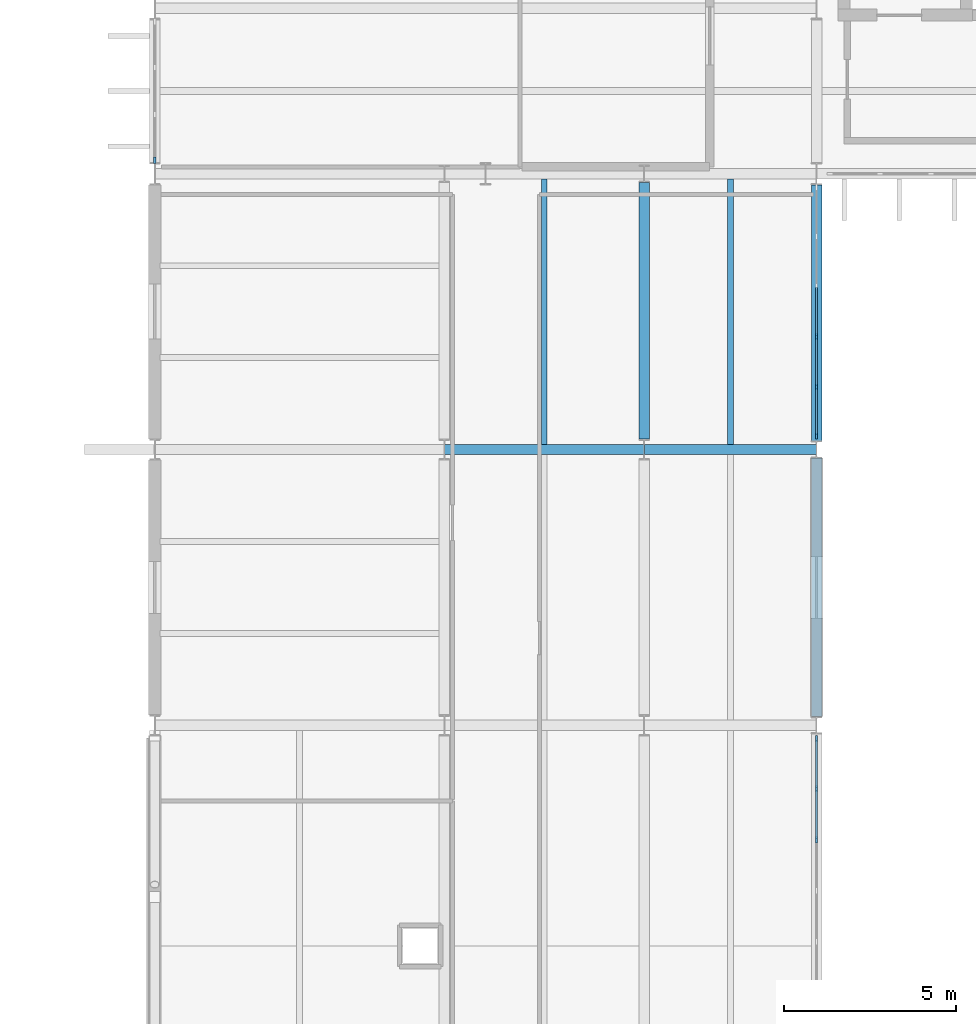
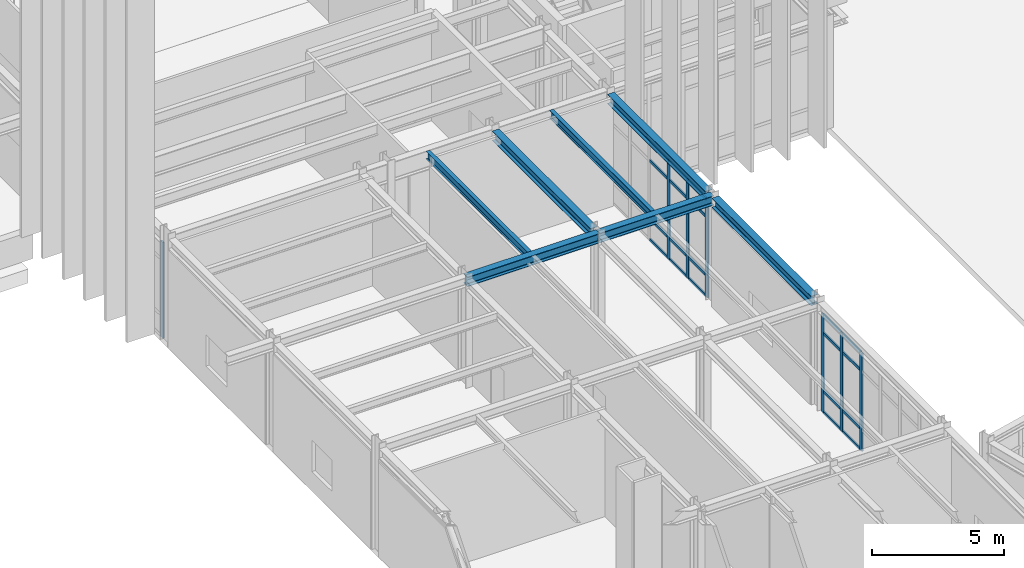
# One storey, part 34 of 109: 27 members, 7 beams, 3 elements without a shape of their own.
"""IFC4 building model written with IfcOpenShell, lengths in metres."""

import ifcopenshell
import ifcopenshell.guid

model = None  # the IFC model being written
_history = None  # IfcOwnerHistory: only IFC2X3 demands one
_inside = {}  # id of a spatial element -> (the spatial element, [elements in it])
_under = {}  # id of a project, library or spatial element -> (it, [spatial elements below it])
_declared = {}  # id of a project -> (the project, [libraries it declares])
_typed = {}  # id of a type object -> (the type object, [elements of that type])
_made_of = {}  # id of a material, layer set ... -> (it, [elements and type objects made of it])


def new_model(schema):
    """Start an empty IFC model of exactly this schema.

    Asked for "IFC4X3", IfcOpenShell would pick the latest addendum, in which some entities
    have other attributes; the version numbers below select the first issue.
    IFC2X3 requires an IfcOwnerHistory on every rooted entity: one is made here for all.
    """
    global model, _history
    if schema == "IFC4X3":
        model = ifcopenshell.file(schema_version=(4, 3, 0, 0))
    else:
        model = ifcopenshell.file(schema=schema)
    _inside.clear()
    _under.clear()
    _declared.clear()
    _typed.clear()
    _made_of.clear()
    _history = None
    if model.schema == "IFC2X3":
        org = make("IfcOrganization", Name="unknown")
        user = make(
            "IfcPersonAndOrganization",
            ThePerson=make("IfcPerson", FamilyName="unknown"),
            TheOrganization=org,
        )
        app = make(
            "IfcApplication",
            ApplicationDeveloper=org,
            Version="unknown",
            ApplicationFullName="unknown",
            ApplicationIdentifier="unknown",
        )
        _history = make(
            "IfcOwnerHistory",
            OwningUser=user,
            OwningApplication=app,
            ChangeAction="ADDED",
            CreationDate=0,
        )
    return model


def make(cls, **values):
    """One entity of the class cls with the attributes given. An attribute that is None is left unset."""
    return model.create_entity(
        cls, **{name: value for name, value in values.items() if value is not None}
    )


def rooted(cls, **values):
    """An entity with a GlobalId (a new one), such as an element, a storey or a relation."""
    return make(cls, GlobalId=ifcopenshell.guid.new(), OwnerHistory=_history, **values)


def si_unit(unit_type, name, prefix=None):
    """IfcSIUnit, for example si_unit("LENGTHUNIT", "METRE", prefix="MILLI")."""
    return make("IfcSIUnit", UnitType=unit_type, Prefix=prefix, Name=name)


def assignment(units):
    """IfcUnitAssignment: the units of a project."""
    return None if units is None else make("IfcUnitAssignment", Units=units)


def point(xyz):
    """IfcCartesianPoint."""
    return None if xyz is None else make("IfcCartesianPoint", Coordinates=xyz)


def direction(xyz):
    """IfcDirection."""
    return None if xyz is None else make("IfcDirection", DirectionRatios=xyz)


def frame(location, z_axis=None, x_axis=None):
    """IfcAxis2Placement3D, a coordinate frame: its origin and axes. An axis left out is left unset."""
    return make(
        "IfcAxis2Placement3D",
        Location=point(location),
        Axis=direction(z_axis),
        RefDirection=direction(x_axis),
    )


def frame_2d(location, x_axis=None):
    """IfcAxis2Placement2D, a coordinate frame in the plane: its origin and x axis."""
    return make(
        "IfcAxis2Placement2D", Location=point(location), RefDirection=direction(x_axis)
    )


def origin():
    """The frame at (0, 0, 0) with its axes left unset."""
    return frame((0.0, 0.0, 0.0))


def origin_2d():
    """The frame at (0, 0) in the plane with its x axis left unset."""
    return frame_2d((0.0, 0.0))


def place(relative_to, where):
    """IfcLocalPlacement: puts the frame where relative to a parent placement (None: the world)."""
    return make(
        "IfcLocalPlacement", PlacementRelTo=relative_to, RelativePlacement=where
    )


def context(
    kind, dimensions, precision=None, world=None, true_north=None, identifier=None
):
    """IfcGeometricRepresentationContext, for example the 3D "Model" context."""
    return make(
        "IfcGeometricRepresentationContext",
        ContextIdentifier=identifier,
        ContextType=kind,
        CoordinateSpaceDimension=dimensions,
        Precision=precision,
        WorldCoordinateSystem=world,
        TrueNorth=true_north,
    )


def subcontext(parent, identifier, kind, view, scale=None):
    """IfcGeometricRepresentationSubContext, for example "Body" below "Model"."""
    return make(
        "IfcGeometricRepresentationSubContext",
        ContextIdentifier=identifier,
        ContextType=kind,
        ParentContext=parent,
        TargetScale=scale,
        TargetView=view,
    )


def project(units=None, contexts=None):
    """IfcProject with its units and contexts."""
    return rooted(
        "IfcProject",
        Name="project",
        RepresentationContexts=contexts,
        UnitsInContext=assignment(units),
    )


def spatial(cls, under=None, at=None, **own):
    """A site, building, storey or space (cls), placed at a placement, below another one or the project."""
    s = rooted(cls, ObjectPlacement=at, **own)
    if under is not None:
        _under.setdefault(under.id(), (under, []))[1].append(s)
    return s


def profile(cls, at=None, kind="AREA", **sizes):
    """A parametric profile (cls). Its sizes go by their IFC names, for example OverallWidth=200.0."""
    return make(cls, ProfileType=kind, Position=at, **sizes)


def rectangle(**sizes):
    """IfcRectangleProfileDef."""
    return profile("IfcRectangleProfileDef", **sizes)


def i_section(**sizes):
    """IfcIShapeProfileDef."""
    return profile("IfcIShapeProfileDef", **sizes)


def extrude(swept, where, along, depth):
    """IfcExtrudedAreaSolid: the profile swept, set in the frame where, extruded along a direction by depth."""
    return make(
        "IfcExtrudedAreaSolid",
        SweptArea=swept,
        Position=where,
        ExtrudedDirection=direction(along),
        Depth=depth,
    )


def shape(context_of_items, identifier, shape_type, items):
    """IfcShapeRepresentation: the items that make up one representation, for example the "Body"."""
    return make(
        "IfcShapeRepresentation",
        ContextOfItems=context_of_items,
        RepresentationIdentifier=identifier,
        RepresentationType=shape_type,
        Items=items,
    )


def material(Name=None, Category=None):
    """IfcMaterial."""
    return make("IfcMaterial", Name=Name, Category=Category)


def layer(
    of_material, thickness, ventilated=None, Name=None, Category=None, Priority=None
):
    """IfcMaterialLayer: one layer of a wall or slab, of a material (None: an air gap)."""
    return make(
        "IfcMaterialLayer",
        Material=of_material,
        LayerThickness=thickness,
        IsVentilated=ventilated,
        Name=Name,
        Category=Category,
        Priority=Priority,
    )


def layer_set(layers, Name=None):
    """IfcMaterialLayerSet."""
    return make("IfcMaterialLayerSet", MaterialLayers=layers, LayerSetName=Name)


def material_profile(
    of_material, cross_section, Name=None, Category=None, Priority=None
):
    """IfcMaterialProfile: a cross section and its material."""
    return make(
        "IfcMaterialProfile",
        Name=Name,
        Material=of_material,
        Profile=cross_section,
        Priority=Priority,
        Category=Category,
    )


def profile_set(profiles, Name=None, composite=None):
    """IfcMaterialProfileSet."""
    return make(
        "IfcMaterialProfileSet",
        Name=Name,
        MaterialProfiles=profiles,
        CompositeProfile=composite,
    )


def made_of(thing, what):
    """Note that an element or type object is made of a material, layer set ...; save() writes the relation."""
    if what is not None:
        _made_of.setdefault(what.id(), (what, []))[1].append(thing)
    return thing


def type_object(cls, material=None, **own):
    """A type object (cls), such as IfcWallType, which elements share."""
    return made_of(rooted(cls, **own), material)


def element(
    cls,
    number,
    at=None,
    inside=None,
    cuts=None,
    type_object=None,
    material=None,
    context=None,
    identifier="Body",
    shape_type=None,
    held_by="IfcProductDefinitionShape",
    body=None,
    shapes=None,
    **own,
):
    """One element of the class cls, such as IfcWall. Its Tag is "e" and its number.

    at: its placement. inside: the storey or other place that contains it. cuts: it is an
    opening in that element (IfcRelVoidsElement). A single representation is given by context,
    identifier, shape_type and body (its items); several are given by shapes. held_by: the class
    of the entity that holds the representations. save() writes the other relations.
    """
    e = rooted(cls, Tag="e%d" % number, ObjectPlacement=at, **own)
    if body is not None:
        shapes = [shape(context, identifier, shape_type, body)]
    if shapes is not None:
        e.Representation = make(held_by, Representations=shapes)
    if inside is not None:
        _inside.setdefault(inside.id(), (inside, []))[1].append(e)
    if cuts is not None:
        rooted(
            "IfcRelVoidsElement", RelatingBuildingElement=cuts, RelatedOpeningElement=e
        )
    if type_object is not None:
        _typed.setdefault(type_object.id(), (type_object, []))[1].append(e)
    return made_of(e, material)


def aggregate(whole, parts):
    """IfcRelAggregates: a whole, such as a stair, and the parts it consists of."""
    return rooted("IfcRelAggregates", RelatingObject=whole, RelatedObjects=parts)


def save(model, path):
    """Write the relations noted so far, then the file.

    IfcRelAggregates (storeys below a building ...), IfcRelContainedInSpatialStructure (elements
    in a storey), IfcRelDefinesByType, IfcRelAssociatesMaterial and IfcRelDeclares: one each for
    every whole, place, type object, material and project.
    """
    for whole, parts in _under.values():
        aggregate(whole, parts)
    for where, things in _inside.values():
        rooted(
            "IfcRelContainedInSpatialStructure",
            RelatedElements=things,
            RelatingStructure=where,
        )
    for kind, things in _typed.values():
        rooted("IfcRelDefinesByType", RelatedObjects=things, RelatingType=kind)
    for what, things in _made_of.values():
        rooted("IfcRelAssociatesMaterial", RelatedObjects=things, RelatingMaterial=what)
    for by, libraries in _declared.values():
        rooted("IfcRelDeclares", RelatingContext=by, RelatedDefinitions=libraries)
    model.write(path)


model = new_model("IFC4")

# Units and contexts
model_context = context("Model", 3, precision=1e-05, world=origin(), true_north=direction((0.0, 1.0)))
body_context = subcontext(model_context, "Body", "Model", "MODEL_VIEW")
ifc_project = project(units=[si_unit("LENGTHUNIT", "METRE"), si_unit("AREAUNIT", "SQUARE_METRE"), si_unit("VOLUMEUNIT", "CUBIC_METRE"), si_unit("PLANEANGLEUNIT", "RADIAN"), si_unit("MASSUNIT", "GRAM", prefix="KILO")], contexts=[model_context])

# Site, building, storey
site_placement = place(None, origin())
site = spatial("IfcSite", under=ifc_project, at=site_placement, CompositionType="ELEMENT")
building_placement = place(site_placement, origin())
building = spatial("IfcBuilding", under=site, at=building_placement, Name="Nordkorset Police Headquarters", CompositionType="ELEMENT")
storey_placement = place(building_placement, origin())
storey = spatial("IfcBuildingStorey", under=building, at=storey_placement, Name="L00", CompositionType="ELEMENT", Elevation=0.0)

# Beams
ifc_material_1 = material(Name="Steel S355J2", Category="steel")
ifc_material_profile_1 = material_profile(ifc_material_1, i_section(OverallWidth=0.169921875, OverallDepth=0.360107421875, WebThickness=0.008056640625, FlangeThickness=0.0126953125, FilletRadius=0.01806640625, at=origin_2d()), Name="IPE 360")
ifc_profile_set_1 = profile_set([ifc_material_profile_1], Name="Steel S355J2")
beam_type_1 = type_object("IfcBeamType", Name="Beam_IPE_360", PredefinedType="BEAM", material=ifc_profile_set_1)
for number, where, z_axis, x_axis, name in (
    (1, (11.300048828125, 75.35009765625, 4.820068359375), (0.0, 1.0, 0.0), (-1.0, 0.0, 0.0), "Composite Floor Beam V3 L00 1-5-1"),
    (2, (16.699951171875, 75.35009765625, 4.820068359375), (0.0, 1.0, 0.0), (-1.0, 0.0, 0.0), "Composite Floor Beam V3 L00 2-5-1"),
):
    element("IfcBeam", number, at=place(storey_placement, frame(where, z_axis=z_axis, x_axis=x_axis)), inside=storey, type_object=beam_type_1, Name=name, PredefinedType="BEAM", context=body_context, shape_type="SweptSolid", body=[
        extrude(i_section(OverallWidth=0.169921875, OverallDepth=0.360107421875, WebThickness=0.008056640625, FlangeThickness=0.0126953125, FilletRadius=0.01806640625, at=origin_2d()), origin(), (0.0, 0.0, 1.0), 7.699951171875),
    ])

# Curtain wall, member
ifc_material_2 = material(Name="Aluminium alloy AW-6060", Category="aluminium")
ifc_layer_1 = layer(ifc_material_2, 0.179931640625, Name="Aluminium alloy AW-6060")
ifc_layer_set_1 = layer_set([ifc_layer_1], Name="Aluminium alloy AW-6060")
curtain_wall_type_1 = type_object("IfcCurtainWallType", Name="CW_Unit_408x444", PredefinedType="USERDEFINED", material=ifc_layer_set_1)
curtain_wall_1_placement = place(storey_placement, origin())
curtain_wall_1 = element("IfcCurtainWall", 3, at=curtain_wall_1_placement, inside=storey, type_object=curtain_wall_type_1, Name="Unitised Curtain Wall L00 V1W-0", ObjectType="UNITISED CURTAIN WALL", PredefinedType="USERDEFINED")
ifc_material_3 = material(Name="Aluminium alloy AW-6060", Category="aluminium")
ifc_material_profile_2 = material_profile(ifc_material_3, rectangle(XDim=0.06494140625, YDim=0.179931640625, at=origin_2d()), Name="ALU MULL 65x180")
ifc_profile_set_2 = profile_set([ifc_material_profile_2], Name="Aluminium alloy AW-6060")
member_type_1 = type_object("IfcMemberType", Name="CW_Mullion_65x180", PredefinedType="MULLION", material=ifc_profile_set_2)
member_1_placement = place(storey_placement, frame((0.0, 83.592529296875, 0.0), z_axis=(0.0, 0.0, 1.0), x_axis=(-1.0, 0.0, 0.0)))
member_1 = element("IfcMember", 4, at=member_1_placement, type_object=member_type_1, Name="CW-66 mullion 1", PredefinedType="MULLION", context=body_context, shape_type="SweptSolid", body=[
    extrude(rectangle(XDim=0.06494140625, YDim=0.179931640625, at=origin_2d()), origin(), (0.0, 0.0, 1.0), 4.43994140625),
])
aggregate(curtain_wall_1, [member_1])

# Curtain wall, members
ifc_material_4 = material(Name="Aluminium alloy AW-6060", Category="aluminium")
ifc_layer_2 = layer(ifc_material_4, 0.179931640625, Name="Aluminium alloy AW-6060")
ifc_layer_set_2 = layer_set([ifc_layer_2], Name="Aluminium alloy AW-6060")
curtain_wall_type_2 = type_object("IfcCurtainWallType", Name="CW_Unit_888x454", PredefinedType="USERDEFINED", material=ifc_layer_set_2)
curtain_wall_2_placement = place(storey_placement, origin())
curtain_wall_2 = element("IfcCurtainWall", 5, at=curtain_wall_2_placement, inside=storey, type_object=curtain_wall_type_2, Name="Unitised Curtain Wall L00 V3E-3", ObjectType="UNITISED CURTAIN WALL", PredefinedType="USERDEFINED")
member_2_placement = place(storey_placement, frame((19.199951171875, 63.8798828125, 0.0), z_axis=(0.0, 0.0, 1.0), x_axis=(-1.0, 0.0, 0.0)))
member_2 = element("IfcMember", 6, at=member_2_placement, type_object=member_type_1, Name="CW-82 mullion 5", PredefinedType="MULLION", context=body_context, shape_type="SweptSolid", body=[
    extrude(rectangle(XDim=0.06494140625, YDim=0.179931640625, at=origin_2d()), origin(), (0.0, 0.0, 1.0), 4.5400390625),
])
member_3_placement = place(storey_placement, frame((19.199951171875, 65.360107421875, 0.0), z_axis=(0.0, 0.0, 1.0), x_axis=(-1.0, 0.0, 0.0)))
member_3 = element("IfcMember", 7, at=member_3_placement, type_object=member_type_1, Name="CW-82 mullion 6", PredefinedType="MULLION", context=body_context, shape_type="SweptSolid", body=[
    extrude(rectangle(XDim=0.06494140625, YDim=0.179931640625, at=origin_2d()), origin(), (0.0, 0.0, 1.0), 4.5400390625),
])
member_4_placement = place(storey_placement, frame((19.199951171875, 66.8076171875, 0.0), z_axis=(0.0, 0.0, 1.0), x_axis=(-1.0, 0.0, 0.0)))
member_4 = element("IfcMember", 8, at=member_4_placement, type_object=member_type_1, Name="CW-82 mullion 7", PredefinedType="MULLION", context=body_context, shape_type="SweptSolid", body=[
    extrude(rectangle(XDim=0.06494140625, YDim=0.179931640625, at=origin_2d()), origin(), (0.0, 0.0, 1.0), 4.5400390625),
])

ifc_material_5 = material(Name="Aluminium alloy AW-6060", Category="aluminium")
ifc_layer_3 = layer(ifc_material_5, 0.179931640625, Name="Aluminium alloy AW-6060")
ifc_layer_set_3 = layer_set([ifc_layer_3], Name="Aluminium alloy AW-6060")
curtain_wall_type_3 = type_object("IfcCurtainWallType", Name="CW_Unit_728x454", PredefinedType="USERDEFINED", material=ifc_layer_set_3)
curtain_wall_3_placement = place(storey_placement, origin())
curtain_wall_3 = element("IfcCurtainWall", 9, at=curtain_wall_3_placement, inside=storey, type_object=curtain_wall_type_3, Name="Unitised Curtain Wall L00 V3E-5", ObjectType="UNITISED CURTAIN WALL", PredefinedType="USERDEFINED")
member_5_placement = place(storey_placement, frame((19.199951171875, 75.592529296875, 0.0), z_axis=(0.0, 0.0, 1.0), x_axis=(-1.0, 0.0, 0.0)))
member_5 = element("IfcMember", 10, at=member_5_placement, type_object=member_type_1, Name="CW-50 mullion 1", PredefinedType="MULLION", context=body_context, shape_type="SweptSolid", body=[
    extrude(rectangle(XDim=0.06494140625, YDim=0.179931640625, at=origin_2d()), origin(), (0.0, 0.0, 1.0), 4.5400390625),
])
member_6_placement = place(storey_placement, frame((19.199951171875, 77.01611328125, 0.0), z_axis=(0.0, 0.0, 1.0), x_axis=(-1.0, 0.0, 0.0)))
member_6 = element("IfcMember", 11, at=member_6_placement, type_object=member_type_1, Name="CW-50 mullion 2", PredefinedType="MULLION", context=body_context, shape_type="SweptSolid", body=[
    extrude(rectangle(XDim=0.06494140625, YDim=0.179931640625, at=origin_2d()), origin(), (0.0, 0.0, 1.0), 4.5400390625),
])
member_7_placement = place(storey_placement, frame((19.199951171875, 78.471923828125, 0.0), z_axis=(0.0, 0.0, 1.0), x_axis=(-1.0, 0.0, 0.0)))
member_7 = element("IfcMember", 12, at=member_7_placement, type_object=member_type_1, Name="CW-50 mullion 3", PredefinedType="MULLION", context=body_context, shape_type="SweptSolid", body=[
    extrude(rectangle(XDim=0.06494140625, YDim=0.179931640625, at=origin_2d()), origin(), (0.0, 0.0, 1.0), 4.5400390625),
])

# Member
ifc_material_6 = material(Name="Aluminium alloy AW-6060", Category="aluminium")
ifc_material_profile_3 = material_profile(ifc_material_6, rectangle(XDim=0.06494140625, YDim=0.139892578125, at=origin_2d()), Name="ALU TRAN 65x140")
ifc_profile_set_3 = profile_set([ifc_material_profile_3], Name="Aluminium alloy AW-6060")
member_type_2 = type_object("IfcMemberType", Name="CW_Transom_65x140", PredefinedType="USERDEFINED", material=ifc_profile_set_3)
member_8_placement = place(storey_placement, frame((19.199951171875, 63.91259765625, 0.032470703125), z_axis=(0.0, 1.0, 0.0), x_axis=(-1.0, 0.0, 0.0)))
member_8 = element("IfcMember", 13, at=member_8_placement, type_object=member_type_2, Name="CW-82 transom 5.1", ObjectType="TRANSOM", PredefinedType="USERDEFINED", context=body_context, shape_type="SweptSolid", body=[
    extrude(rectangle(XDim=0.06494140625, YDim=0.139892578125, at=origin_2d()), origin(), (0.0, 0.0, 1.0), 1.414794921875),
])

member_9_placement = place(storey_placement, frame((19.199951171875, 63.91259765625, 1.0), z_axis=(0.0, 1.0, 0.0), x_axis=(-1.0, 0.0, 0.0)))
member_9 = element("IfcMember", 14, at=member_9_placement, type_object=member_type_2, Name="CW-82 transom 5.2", ObjectType="TRANSOM", PredefinedType="USERDEFINED", context=body_context, shape_type="SweptSolid", body=[
    extrude(rectangle(XDim=0.06494140625, YDim=0.139892578125, at=origin_2d()), origin(), (0.0, 0.0, 1.0), 1.414794921875),
])

member_10_placement = place(storey_placement, frame((19.199951171875, 63.91259765625, 3.68994140625), z_axis=(0.0, 1.0, 0.0), x_axis=(-1.0, 0.0, 0.0)))
member_10 = element("IfcMember", 15, at=member_10_placement, type_object=member_type_2, Name="CW-82 transom 5.3", ObjectType="TRANSOM", PredefinedType="USERDEFINED", context=body_context, shape_type="SweptSolid", body=[
    extrude(rectangle(XDim=0.06494140625, YDim=0.139892578125, at=origin_2d()), origin(), (0.0, 0.0, 1.0), 1.414794921875),
])

member_11_placement = place(storey_placement, frame((19.199951171875, 63.91259765625, 4.507568359375), z_axis=(0.0, 1.0, 0.0), x_axis=(-1.0, 0.0, 0.0)))
member_11 = element("IfcMember", 16, at=member_11_placement, type_object=member_type_2, Name="CW-82 transom 5.4", ObjectType="TRANSOM", PredefinedType="USERDEFINED", context=body_context, shape_type="SweptSolid", body=[
    extrude(rectangle(XDim=0.06494140625, YDim=0.139892578125, at=origin_2d()), origin(), (0.0, 0.0, 1.0), 1.414794921875),
])

member_12_placement = place(storey_placement, frame((19.199951171875, 65.392578125, 0.032470703125), z_axis=(0.0, 1.0, 0.0), x_axis=(-1.0, 0.0, 0.0)))
member_12 = element("IfcMember", 17, at=member_12_placement, type_object=member_type_2, Name="CW-82 transom 6.1", ObjectType="TRANSOM", PredefinedType="USERDEFINED", context=body_context, shape_type="SweptSolid", body=[
    extrude(rectangle(XDim=0.06494140625, YDim=0.139892578125, at=origin_2d()), origin(), (0.0, 0.0, 1.0), 1.38232421875),
])

member_13_placement = place(storey_placement, frame((19.199951171875, 65.392578125, 1.0), z_axis=(0.0, 1.0, 0.0), x_axis=(-1.0, 0.0, 0.0)))
member_13 = element("IfcMember", 18, at=member_13_placement, type_object=member_type_2, Name="CW-82 transom 6.2", ObjectType="TRANSOM", PredefinedType="USERDEFINED", context=body_context, shape_type="SweptSolid", body=[
    extrude(rectangle(XDim=0.06494140625, YDim=0.139892578125, at=origin_2d()), origin(), (0.0, 0.0, 1.0), 1.38232421875),
])

member_14_placement = place(storey_placement, frame((19.199951171875, 65.392578125, 3.68994140625), z_axis=(0.0, 1.0, 0.0), x_axis=(-1.0, 0.0, 0.0)))
member_14 = element("IfcMember", 19, at=member_14_placement, type_object=member_type_2, Name="CW-82 transom 6.3", ObjectType="TRANSOM", PredefinedType="USERDEFINED", context=body_context, shape_type="SweptSolid", body=[
    extrude(rectangle(XDim=0.06494140625, YDim=0.139892578125, at=origin_2d()), origin(), (0.0, 0.0, 1.0), 1.38232421875),
])

member_15_placement = place(storey_placement, frame((19.199951171875, 65.392578125, 4.507568359375), z_axis=(0.0, 1.0, 0.0), x_axis=(-1.0, 0.0, 0.0)))
member_15 = element("IfcMember", 20, at=member_15_placement, type_object=member_type_2, Name="CW-82 transom 6.4", ObjectType="TRANSOM", PredefinedType="USERDEFINED", context=body_context, shape_type="SweptSolid", body=[
    extrude(rectangle(XDim=0.06494140625, YDim=0.139892578125, at=origin_2d()), origin(), (0.0, 0.0, 1.0), 1.38232421875),
])

aggregate(curtain_wall_2, [member_2, member_3, member_4, member_8, member_9, member_10, member_11, member_12, member_13, member_14, member_15])

member_16_placement = place(storey_placement, frame((19.199951171875, 75.625, 0.032470703125), z_axis=(0.0, 1.0, 0.0), x_axis=(-1.0, 0.0, 0.0)))
member_16 = element("IfcMember", 21, at=member_16_placement, type_object=member_type_2, Name="CW-50 transom 1.1", ObjectType="TRANSOM", PredefinedType="USERDEFINED", context=body_context, shape_type="SweptSolid", body=[
    extrude(rectangle(XDim=0.06494140625, YDim=0.139892578125, at=origin_2d()), origin(), (0.0, 0.0, 1.0), 1.3583984375),
])

member_17_placement = place(storey_placement, frame((19.199951171875, 75.625, 1.0), z_axis=(0.0, 1.0, 0.0), x_axis=(-1.0, 0.0, 0.0)))
member_17 = element("IfcMember", 22, at=member_17_placement, type_object=member_type_2, Name="CW-50 transom 1.2", ObjectType="TRANSOM", PredefinedType="USERDEFINED", context=body_context, shape_type="SweptSolid", body=[
    extrude(rectangle(XDim=0.06494140625, YDim=0.139892578125, at=origin_2d()), origin(), (0.0, 0.0, 1.0), 1.3583984375),
])

member_18_placement = place(storey_placement, frame((19.199951171875, 75.625, 3.68994140625), z_axis=(0.0, 1.0, 0.0), x_axis=(-1.0, 0.0, 0.0)))
member_18 = element("IfcMember", 23, at=member_18_placement, type_object=member_type_2, Name="CW-50 transom 1.3", ObjectType="TRANSOM", PredefinedType="USERDEFINED", context=body_context, shape_type="SweptSolid", body=[
    extrude(rectangle(XDim=0.06494140625, YDim=0.139892578125, at=origin_2d()), origin(), (0.0, 0.0, 1.0), 1.3583984375),
])

member_19_placement = place(storey_placement, frame((19.199951171875, 75.625, 4.507568359375), z_axis=(0.0, 1.0, 0.0), x_axis=(-1.0, 0.0, 0.0)))
member_19 = element("IfcMember", 24, at=member_19_placement, type_object=member_type_2, Name="CW-50 transom 1.4", ObjectType="TRANSOM", PredefinedType="USERDEFINED", context=body_context, shape_type="SweptSolid", body=[
    extrude(rectangle(XDim=0.06494140625, YDim=0.139892578125, at=origin_2d()), origin(), (0.0, 0.0, 1.0), 1.3583984375),
])

member_20_placement = place(storey_placement, frame((19.199951171875, 77.048583984375, 0.032470703125), z_axis=(0.0, 1.0, 0.0), x_axis=(-1.0, 0.0, 0.0)))
member_20 = element("IfcMember", 25, at=member_20_placement, type_object=member_type_2, Name="CW-50 transom 2.1", ObjectType="TRANSOM", PredefinedType="USERDEFINED", context=body_context, shape_type="SweptSolid", body=[
    extrude(rectangle(XDim=0.06494140625, YDim=0.139892578125, at=origin_2d()), origin(), (0.0, 0.0, 1.0), 1.390869140625),
])

member_21_placement = place(storey_placement, frame((19.199951171875, 77.048583984375, 1.0), z_axis=(0.0, 1.0, 0.0), x_axis=(-1.0, 0.0, 0.0)))
member_21 = element("IfcMember", 26, at=member_21_placement, type_object=member_type_2, Name="CW-50 transom 2.2", ObjectType="TRANSOM", PredefinedType="USERDEFINED", context=body_context, shape_type="SweptSolid", body=[
    extrude(rectangle(XDim=0.06494140625, YDim=0.139892578125, at=origin_2d()), origin(), (0.0, 0.0, 1.0), 1.390869140625),
])

member_22_placement = place(storey_placement, frame((19.199951171875, 77.048583984375, 3.68994140625), z_axis=(0.0, 1.0, 0.0), x_axis=(-1.0, 0.0, 0.0)))
member_22 = element("IfcMember", 27, at=member_22_placement, type_object=member_type_2, Name="CW-50 transom 2.3", ObjectType="TRANSOM", PredefinedType="USERDEFINED", context=body_context, shape_type="SweptSolid", body=[
    extrude(rectangle(XDim=0.06494140625, YDim=0.139892578125, at=origin_2d()), origin(), (0.0, 0.0, 1.0), 1.390869140625),
])

member_23_placement = place(storey_placement, frame((19.199951171875, 77.048583984375, 4.507568359375), z_axis=(0.0, 1.0, 0.0), x_axis=(-1.0, 0.0, 0.0)))
member_23 = element("IfcMember", 28, at=member_23_placement, type_object=member_type_2, Name="CW-50 transom 2.4", ObjectType="TRANSOM", PredefinedType="USERDEFINED", context=body_context, shape_type="SweptSolid", body=[
    extrude(rectangle(XDim=0.06494140625, YDim=0.139892578125, at=origin_2d()), origin(), (0.0, 0.0, 1.0), 1.390869140625),
])

member_24_placement = place(storey_placement, frame((19.199951171875, 78.50439453125, 0.032470703125), z_axis=(0.0, 1.0, 0.0), x_axis=(-1.0, 0.0, 0.0)))
member_24 = element("IfcMember", 29, at=member_24_placement, type_object=member_type_2, Name="CW-50 transom 3.1", ObjectType="TRANSOM", PredefinedType="USERDEFINED", context=body_context, shape_type="SweptSolid", body=[
    extrude(rectangle(XDim=0.06494140625, YDim=0.139892578125, at=origin_2d()), origin(), (0.0, 0.0, 1.0), 1.39111328125),
])

member_25_placement = place(storey_placement, frame((19.199951171875, 78.50439453125, 1.0), z_axis=(0.0, 1.0, 0.0), x_axis=(-1.0, 0.0, 0.0)))
member_25 = element("IfcMember", 30, at=member_25_placement, type_object=member_type_2, Name="CW-50 transom 3.2", ObjectType="TRANSOM", PredefinedType="USERDEFINED", context=body_context, shape_type="SweptSolid", body=[
    extrude(rectangle(XDim=0.06494140625, YDim=0.139892578125, at=origin_2d()), origin(), (0.0, 0.0, 1.0), 1.39111328125),
])

member_26_placement = place(storey_placement, frame((19.199951171875, 78.50439453125, 3.68994140625), z_axis=(0.0, 1.0, 0.0), x_axis=(-1.0, 0.0, 0.0)))
member_26 = element("IfcMember", 31, at=member_26_placement, type_object=member_type_2, Name="CW-50 transom 3.3", ObjectType="TRANSOM", PredefinedType="USERDEFINED", context=body_context, shape_type="SweptSolid", body=[
    extrude(rectangle(XDim=0.06494140625, YDim=0.139892578125, at=origin_2d()), origin(), (0.0, 0.0, 1.0), 1.39111328125),
])

member_27_placement = place(storey_placement, frame((19.199951171875, 78.50439453125, 4.507568359375), z_axis=(0.0, 1.0, 0.0), x_axis=(-1.0, 0.0, 0.0)))
member_27 = element("IfcMember", 32, at=member_27_placement, type_object=member_type_2, Name="CW-50 transom 3.4", ObjectType="TRANSOM", PredefinedType="USERDEFINED", context=body_context, shape_type="SweptSolid", body=[
    extrude(rectangle(XDim=0.06494140625, YDim=0.139892578125, at=origin_2d()), origin(), (0.0, 0.0, 1.0), 1.39111328125),
])

aggregate(curtain_wall_3, [member_5, member_6, member_7, member_16, member_17, member_18, member_19, member_20, member_21, member_22, member_23, member_24, member_25, member_26, member_27])

# Beams
ifc_material_7 = material(Name="Steel S355J2", Category="steel")
ifc_material_profile_4 = material_profile(ifc_material_7, i_section(OverallWidth=0.300048828125, OverallDepth=0.43994140625, WebThickness=0.011474609375, FlangeThickness=0.02099609375, FilletRadius=0.027099609375, at=origin_2d()), Name="HEA 450")
ifc_profile_set_4 = profile_set([ifc_material_profile_4], Name="Steel S355J2")
beam_type_2 = type_object("IfcBeamType", Name="Girder_HEA_450", PredefinedType="USERDEFINED", material=ifc_profile_set_4)
beam_1_placement = place(storey_placement, frame((8.40771484375, 75.199951171875, 4.780029296875), z_axis=(1.0, 0.0, 0.0), x_axis=(0.0, 1.0, 0.0)))
element("IfcBeam", 33, at=beam_1_placement, inside=storey, type_object=beam_type_2, Name="Girder V3 L00 GX-5-1", ObjectType="GIRDER", PredefinedType="USERDEFINED", context=body_context, shape_type="SweptSolid", body=[
    extrude(i_section(OverallWidth=0.300048828125, OverallDepth=0.43994140625, WebThickness=0.011474609375, FlangeThickness=0.02099609375, FilletRadius=0.027099609375, at=origin_2d()), origin(), (0.0, 0.0, 1.0), 5.78466796875),
])
beam_2_placement = place(storey_placement, frame((14.207763671875, 75.199951171875, 4.780029296875), z_axis=(1.0, 0.0, 0.0), x_axis=(0.0, 1.0, 0.0)))
element("IfcBeam", 34, at=beam_2_placement, inside=storey, type_object=beam_type_2, Name="Girder V3 L00 GX-5-2", ObjectType="GIRDER", PredefinedType="USERDEFINED", context=body_context, shape_type="SweptSolid", body=[
    extrude(i_section(OverallWidth=0.300048828125, OverallDepth=0.43994140625, WebThickness=0.011474609375, FlangeThickness=0.02099609375, FilletRadius=0.027099609375, at=origin_2d()), origin(), (0.0, 0.0, 1.0), 4.98486328125),
])
beam_3_placement = place(storey_placement, frame((14.199951171875, 75.5, 4.780029296875), z_axis=(0.0, 1.0, 0.0), x_axis=(-1.0, 0.0, 0.0)))
element("IfcBeam", 35, at=beam_3_placement, inside=storey, type_object=beam_type_2, Name="Girder V3 L00 GY-2-5", ObjectType="GIRDER", PredefinedType="USERDEFINED", context=body_context, shape_type="SweptSolid", body=[
    extrude(i_section(OverallWidth=0.300048828125, OverallDepth=0.43994140625, WebThickness=0.011474609375, FlangeThickness=0.02099609375, FilletRadius=0.027099609375, at=origin_2d()), origin(), (0.0, 0.0, 1.0), 7.449951171875),
])
beam_4_placement = place(storey_placement, frame((19.199951171875, 67.449951171875, 4.780029296875), z_axis=(0.0, 1.0, 0.0), x_axis=(-1.0, 0.0, 0.0)))
element("IfcBeam", 36, at=beam_4_placement, inside=storey, type_object=beam_type_2, Name="Girder V3 L00 GY-3-4", ObjectType="GIRDER", PredefinedType="USERDEFINED", context=body_context, shape_type="SweptSolid", body=[
    extrude(i_section(OverallWidth=0.300048828125, OverallDepth=0.43994140625, WebThickness=0.011474609375, FlangeThickness=0.02099609375, FilletRadius=0.027099609375, at=origin_2d()), origin(), (0.0, 0.0, 1.0), 7.5),
])
beam_5_placement = place(storey_placement, frame((19.199951171875, 75.449951171875, 4.780029296875), z_axis=(0.0, 1.0, 0.0), x_axis=(-1.0, 0.0, 0.0)))
element("IfcBeam", 37, at=beam_5_placement, inside=storey, type_object=beam_type_2, Name="Girder V3 L00 GY-3-5", ObjectType="GIRDER", PredefinedType="USERDEFINED", context=body_context, shape_type="SweptSolid", body=[
    extrude(i_section(OverallWidth=0.300048828125, OverallDepth=0.43994140625, WebThickness=0.011474609375, FlangeThickness=0.02099609375, FilletRadius=0.027099609375, at=origin_2d()), origin(), (0.0, 0.0, 1.0), 7.425048828125),
])

save(model, "model.ifc")
